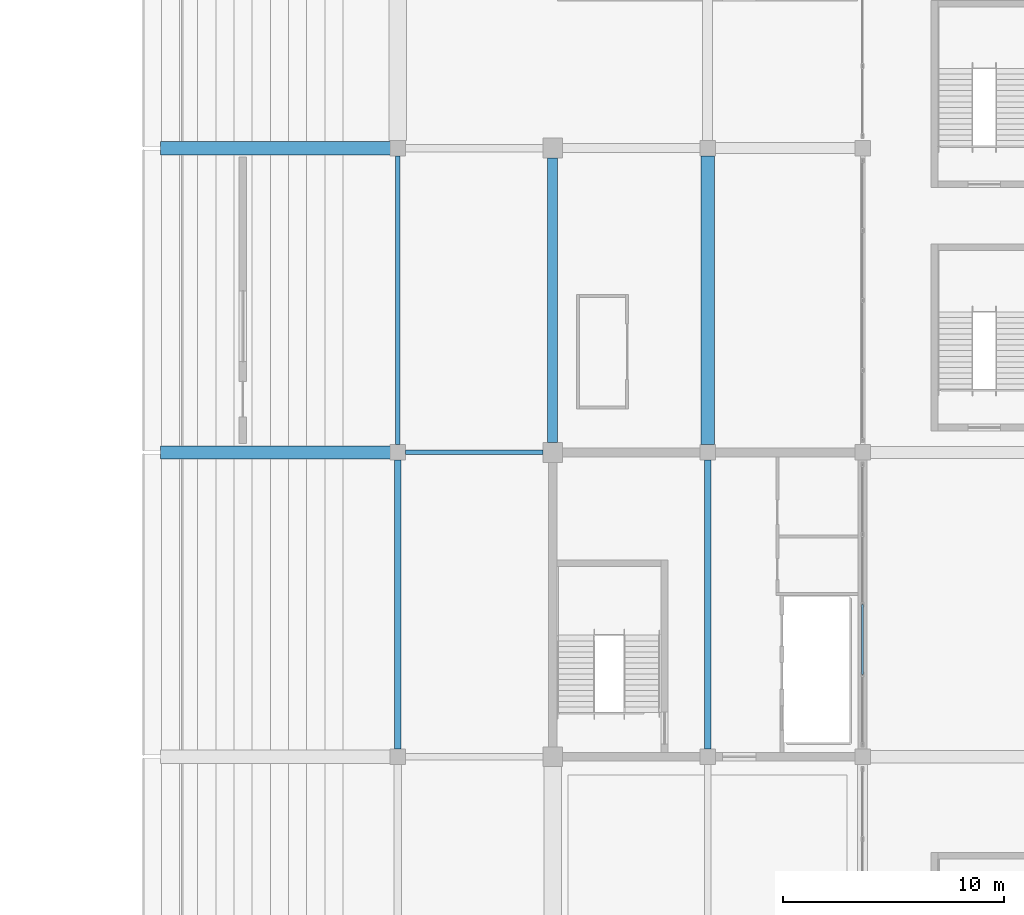
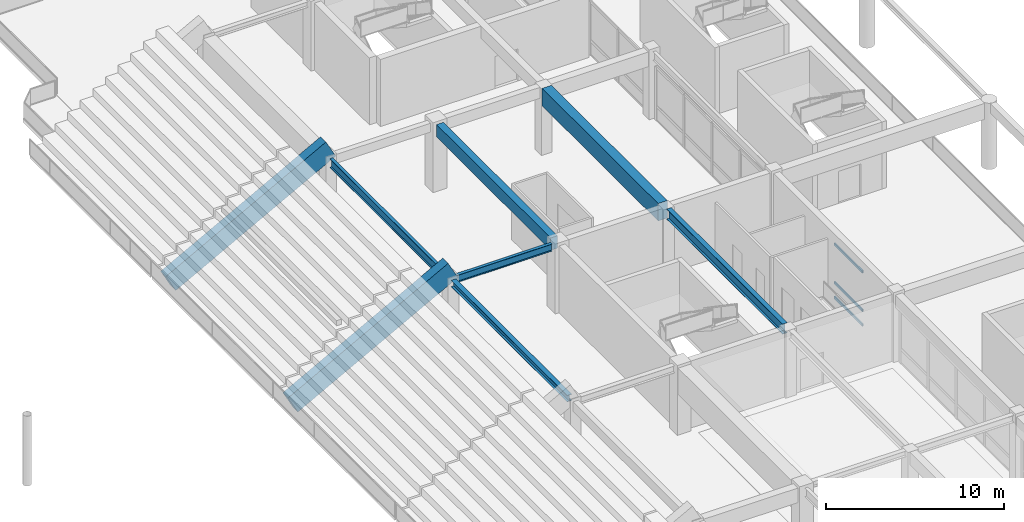
# One storey, part 38 of 94: 8 beams, 3 members, 1 element without a shape of its own.
"""IFC4 building model written with IfcOpenShell, lengths in metres."""

from ifc_helpers import new_model, si_unit, direction, frame, origin, origin_2d, place, context, subcontext, project, spatial, rectangle, hollow_rectangle, i_section, extrude, material, material_profile, profile_set, type_object, element, aggregate, save


model = new_model("IFC4")

# Units and contexts
model_context = context("Model", 3, precision=1e-05, world=origin(), true_north=direction((0.0, 1.0)))
body_context = subcontext(model_context, "Body", "Model", "MODEL_VIEW")
ifc_project = project(units=[si_unit("LENGTHUNIT", "METRE"), si_unit("AREAUNIT", "SQUARE_METRE"), si_unit("VOLUMEUNIT", "CUBIC_METRE"), si_unit("PLANEANGLEUNIT", "RADIAN"), si_unit("MASSUNIT", "GRAM", prefix="KILO")], contexts=[model_context])

# Site, building, storey
site_placement = place(None, origin())
site = spatial("IfcSite", under=ifc_project, at=site_placement, CompositionType="ELEMENT")
building_placement = place(site_placement, origin())
building = spatial("IfcBuilding", under=site, at=building_placement, Name="Linyun Crest Stadium", CompositionType="ELEMENT")
storey_placement = place(building_placement, frame((0.0, 0.0, 16.199951171875)))
storey = spatial("IfcBuildingStorey", under=building, at=storey_placement, Name="L04", CompositionType="ELEMENT", Elevation=16.199951171875)

# Beams
ifc_material_1 = material(Name="Concrete C40", Category="concrete")
ifc_material_profile_1 = material_profile(ifc_material_1, rectangle(XDim=0.449951171875, YDim=0.85009765625, at=origin_2d()), Name="RCB 850x450")
ifc_profile_set_1 = profile_set([ifc_material_profile_1], Name="Concrete C40")
beam_type_1 = type_object("IfcBeamType", Name="B04", PredefinedType="BEAM", material=ifc_profile_set_1)
beam_1_placement = place(storey_placement, frame((70.0, 16.324951171875, 4.175048828125), z_axis=(0.0, 1.0, 0.0), x_axis=(-1.0, 0.0, 0.0)))
element("IfcBeam", 1, at=beam_1_placement, inside=storey, type_object=beam_type_1, Name="Frame beam B04 L04 709", PredefinedType="BEAM", context=body_context, shape_type="SweptSolid", body=[
    extrude(rectangle(XDim=0.449951171875, YDim=0.85009765625, at=origin_2d()), origin(), (0.0, 0.0, 1.0), 12.85009765625),
])
ifc_material_2 = material(Name="Steel Q355C", Category="steel")
ifc_material_profile_2 = material_profile(ifc_material_2, i_section(OverallWidth=0.300048828125, OverallDepth=0.43994140625, WebThickness=0.010986328125, FlangeThickness=0.01806640625, at=origin_2d()), Name="HM 440x300")
ifc_profile_set_2 = profile_set([ifc_material_profile_2], Name="Steel Q355C")
beam_type_2 = type_object("IfcBeamType", Name="B07", PredefinedType="BEAM", material=ifc_profile_set_2)
beam_2_placement = place(storey_placement, frame((63.0, 2.47509765625, 4.380126953125), z_axis=(0.0, 1.0, 0.0), x_axis=(-1.0, 0.0, 0.0)))
element("IfcBeam", 2, at=beam_2_placement, inside=storey, type_object=beam_type_2, Name="Frame beam B07 L04 703", PredefinedType="BEAM", context=body_context, shape_type="SweptSolid", body=[
    extrude(i_section(OverallWidth=0.300048828125, OverallDepth=0.43994140625, WebThickness=0.010986328125, FlangeThickness=0.01806640625, at=origin_2d()), origin(), (0.0, 0.0, 1.0), 13.0498046875),
])
ifc_material_3 = material(Name="Steel Q355C", Category="steel")
ifc_material_profile_3 = material_profile(ifc_material_3, i_section(OverallWidth=0.199951171875, OverallDepth=0.5, WebThickness=0.010009765625, FlangeThickness=0.01611328125, at=origin_2d()), Name="HN 500x200")
ifc_profile_set_3 = profile_set([ifc_material_profile_3], Name="Steel Q355C")
beam_type_3 = type_object("IfcBeamType", Name="B10", PredefinedType="BEAM", material=ifc_profile_set_3)
beam_3_placement = place(storey_placement, frame((63.35009765625, 15.875, 4.35009765625), z_axis=(1.0, 0.0, 0.0), x_axis=(0.0, 1.0, 0.0)))
element("IfcBeam", 3, at=beam_3_placement, inside=storey, type_object=beam_type_3, Name="Frame beam B10 L04 691", PredefinedType="BEAM", context=body_context, shape_type="SweptSolid", body=[
    extrude(i_section(OverallWidth=0.199951171875, OverallDepth=0.5, WebThickness=0.010009765625, FlangeThickness=0.01611328125, at=origin_2d()), origin(), (0.0, 0.0, 1.0), 6.199951171875),
])
ifc_material_4 = material(Name="Steel Q355C", Category="steel")
ifc_material_profile_4 = material_profile(ifc_material_4, i_section(OverallWidth=0.199951171875, OverallDepth=0.60009765625, WebThickness=0.010986328125, FlangeThickness=0.01708984375, at=origin_2d()), Name="HN 600x200")
ifc_profile_set_4 = profile_set([ifc_material_profile_4], Name="Steel Q355C")
beam_type_4 = type_object("IfcBeamType", Name="B11", PredefinedType="BEAM", material=ifc_profile_set_4)
beam_4_placement = place(storey_placement, frame((63.0, 16.22509765625, 4.300048828125), z_axis=(0.0, 1.0, 0.0), x_axis=(-1.0, 0.0, 0.0)))
element("IfcBeam", 4, at=beam_4_placement, inside=storey, type_object=beam_type_4, Name="Frame beam B11 L04 704", PredefinedType="BEAM", context=body_context, shape_type="SweptSolid", body=[
    extrude(i_section(OverallWidth=0.199951171875, OverallDepth=0.60009765625, WebThickness=0.010986328125, FlangeThickness=0.01708984375, at=origin_2d()), origin(), (0.0, 0.0, 1.0), 13.0498046875),
])
ifc_material_5 = material(Name="Steel Q355C", Category="steel")
ifc_material_profile_5 = material_profile(ifc_material_5, i_section(OverallWidth=0.300048828125, OverallDepth=0.699951171875, WebThickness=0.012939453125, FlangeThickness=0.02392578125, at=origin_2d()), Name="HN 700x300")
ifc_profile_set_5 = profile_set([ifc_material_profile_5], Name="Steel Q355C")
beam_type_5 = type_object("IfcBeamType", Name="B12", PredefinedType="BEAM", material=ifc_profile_set_5)
beam_5_placement = place(storey_placement, frame((77.0, 2.47509765625, 4.25), z_axis=(0.0, 1.0, 0.0), x_axis=(-1.0, 0.0, 0.0)))
element("IfcBeam", 5, at=beam_5_placement, inside=storey, type_object=beam_type_5, Name="Frame beam B12 L04 714", PredefinedType="BEAM", context=body_context, shape_type="SweptSolid", body=[
    extrude(i_section(OverallWidth=0.300048828125, OverallDepth=0.699951171875, WebThickness=0.012939453125, FlangeThickness=0.02392578125, at=origin_2d()), origin(), (0.0, 0.0, 1.0), 13.0498046875),
])
ifc_material_6 = material(Name="Precast concrete C50", Category="concrete")
ifc_material_profile_6 = material_profile(ifc_material_6, rectangle(XDim=0.60009765625, YDim=1.35009765625, at=origin_2d()), Name="PCR 1350x600")
ifc_profile_set_6 = profile_set([ifc_material_profile_6], Name="Precast concrete C50")
beam_type_6 = type_object("IfcBeamType", Name="RB03", PredefinedType="USERDEFINED", material=ifc_profile_set_6)
for number, where, z_axis, x_axis, name in (
    (6, (52.60009765625, 15.875, -0.39990234375), (0.88047441838, 0.0, 0.474093660134), (0.0, 1.0, 0.0), "Precast raker beam RB03 V2 47"),
    (7, (52.60009765625, 29.625, -0.39990234375), (0.88047441838, 0.0, 0.474093660134), (0.0, 1.0, 0.0), "Precast raker beam RB03 V2 55"),
):
    element("IfcBeam", number, at=place(storey_placement, frame(where, z_axis=z_axis, x_axis=x_axis)), inside=storey, type_object=beam_type_6, Name=name, ObjectType="RAKER", PredefinedType="USERDEFINED", context=body_context, shape_type="SweptSolid", body=[
        extrude(rectangle(XDim=0.60009765625, YDim=1.35009765625, at=origin_2d()), origin(), (0.0, 0.0, 1.0), 11.811767578125),
    ])
ifc_material_7 = material(Name="Concrete C50", Category="concrete")
ifc_material_profile_7 = material_profile(ifc_material_7, rectangle(XDim=0.60009765625, YDim=1.199951171875, at=origin_2d()), Name="RCB 1200x600")
ifc_profile_set_7 = profile_set([ifc_material_profile_7], Name="Concrete C50")
beam_type_7 = type_object("IfcBeamType", Name="TB02", PredefinedType="USERDEFINED", material=ifc_profile_set_7)
beam_6_placement = place(storey_placement, frame((77.0, 16.22509765625, 4.0), z_axis=(0.0, 1.0, 0.0), x_axis=(-1.0, 0.0, 0.0)))
element("IfcBeam", 8, at=beam_6_placement, inside=storey, type_object=beam_type_7, Name="Frame beam TB02 L04 715", ObjectType="GIRDER", PredefinedType="USERDEFINED", context=body_context, shape_type="SweptSolid", body=[
    extrude(rectangle(XDim=0.60009765625, YDim=1.199951171875, at=origin_2d()), origin(), (0.0, 0.0, 1.0), 13.0498046875),
])

# Curtain wall, members
ifc_material_8 = material(Name="Verdigris steel and low-E curtain wall assembly", Category="steel")
curtain_wall_type = type_object("IfcCurtainWallType", Name="MCW06", PredefinedType="NOTDEFINED", material=ifc_material_8)
curtain_wall_placement = place(storey_placement, origin())
curtain_wall = element("IfcCurtainWall", 9, at=curtain_wall_placement, inside=storey, type_object=curtain_wall_type, Name="CWR-107", PredefinedType="NOTDEFINED")
ifc_material_9 = material(Name="Verdigris painted steel Q355B transom", Category="steel")
ifc_material_profile_8 = material_profile(ifc_material_9, hollow_rectangle(XDim=0.080078125, YDim=0.179931640625, WallThickness=0.006103515625, at=origin_2d()), Name="RHS 180x80x6")
ifc_profile_set_8 = profile_set([ifc_material_profile_8], Name="Verdigris painted steel Q355B transom")
member_type = type_object("IfcMemberType", Name="TR02", PredefinedType="USERDEFINED", material=ifc_profile_set_8)
member_1_placement = place(storey_placement, frame((84.0, 5.8369140625, 0.0), z_axis=(0.0, 1.0, 0.0), x_axis=(-1.0, 0.0, 0.0)))
member_1 = element("IfcMember", 10, at=member_1_placement, type_object=member_type, Name="CWR-107 transom 2.1", ObjectType="TRANSOM", PredefinedType="USERDEFINED", context=body_context, shape_type="SweptSolid", body=[
    extrude(hollow_rectangle(XDim=0.080078125, YDim=0.179931640625, WallThickness=0.006103515625, at=origin_2d()), origin(), (0.0, 0.0, 1.0), 3.1630859375),
])
member_2_placement = place(storey_placement, frame((84.0, 5.8369140625, 1.0), z_axis=(0.0, 1.0, 0.0), x_axis=(-1.0, 0.0, 0.0)))
member_2 = element("IfcMember", 11, at=member_2_placement, type_object=member_type, Name="CWR-107 transom 2.2", ObjectType="TRANSOM", PredefinedType="USERDEFINED", context=body_context, shape_type="SweptSolid", body=[
    extrude(hollow_rectangle(XDim=0.080078125, YDim=0.179931640625, WallThickness=0.006103515625, at=origin_2d()), origin(), (0.0, 0.0, 1.0), 3.1630859375),
])
member_3_placement = place(storey_placement, frame((84.0, 5.8369140625, 3.650146484375), z_axis=(0.0, 1.0, 0.0), x_axis=(-1.0, 0.0, 0.0)))
member_3 = element("IfcMember", 12, at=member_3_placement, type_object=member_type, Name="CWR-107 transom 2.3", ObjectType="TRANSOM", PredefinedType="USERDEFINED", context=body_context, shape_type="SweptSolid", body=[
    extrude(hollow_rectangle(XDim=0.080078125, YDim=0.179931640625, WallThickness=0.006103515625, at=origin_2d()), origin(), (0.0, 0.0, 1.0), 3.1630859375),
])
aggregate(curtain_wall, [member_1, member_2, member_3])

save(model, "model.ifc")
